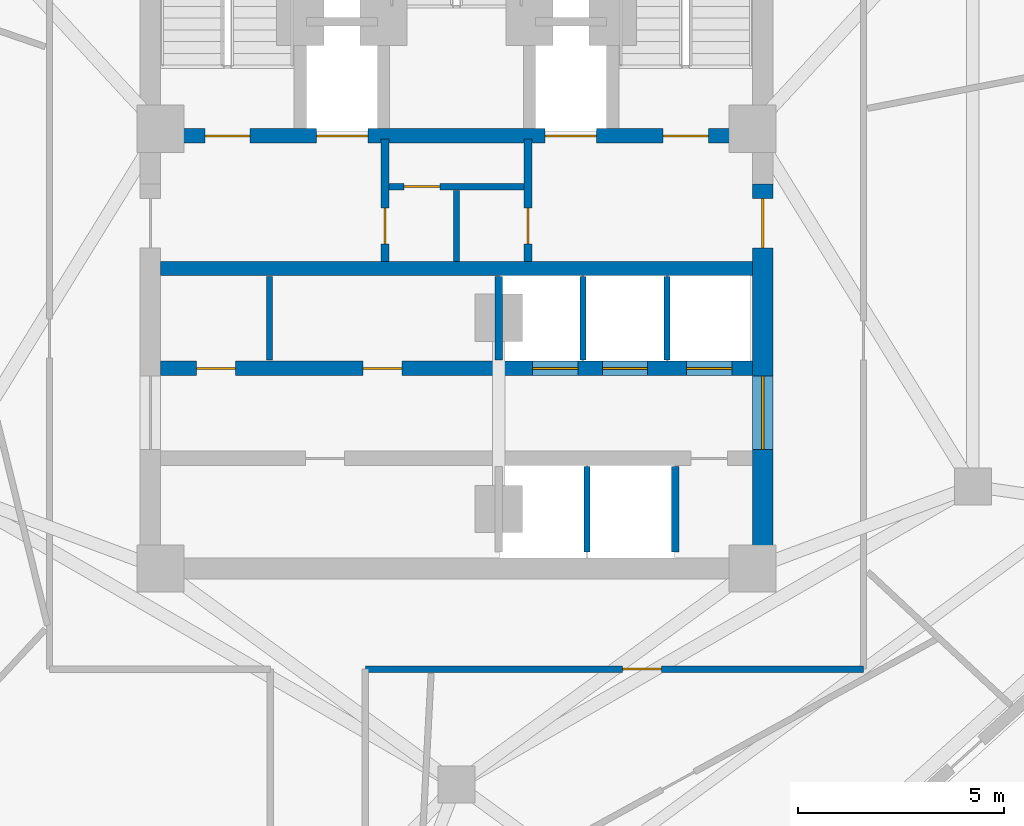
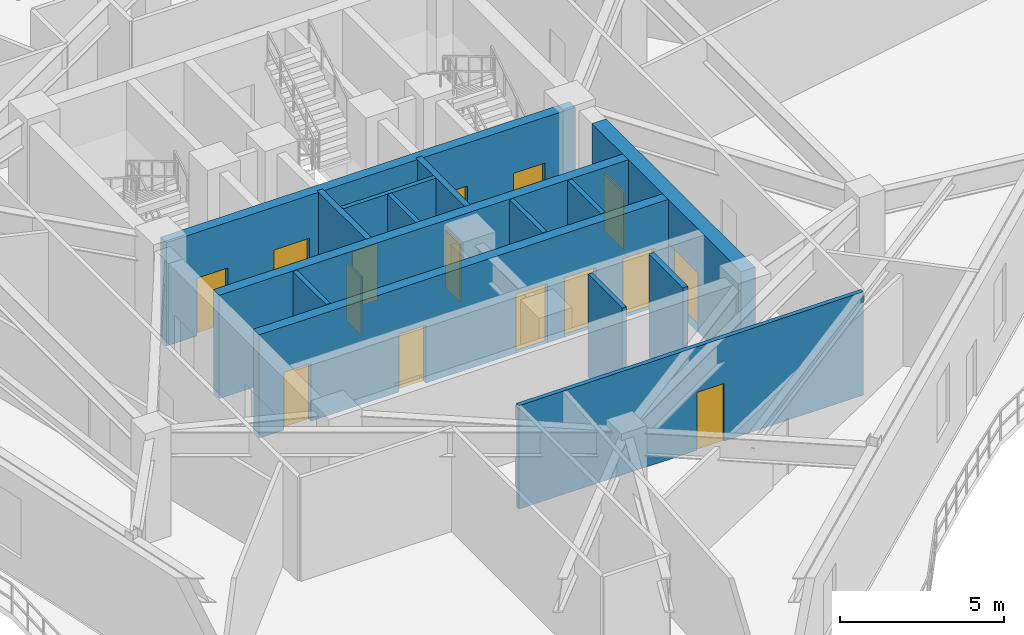
# One storey, part 6 of 12: 15 doors, 15 walls, 15 openings.
"""IFC4 building model written with IfcOpenShell, lengths in metres."""

from ifc_helpers import new_model, si_unit, direction, frame, frame_2d, origin, place, context, subcontext, project, spatial, rectangle, extrude, material, layer, layer_set, type_object, element, fill, save


model = new_model("IFC4")

# Units and contexts
model_context = context("Model", 3, precision=1e-05, world=origin(), true_north=direction((0.0, 1.0)))
body_context = subcontext(model_context, "Body", "Model", "MODEL_VIEW")
ifc_project = project(units=[si_unit("LENGTHUNIT", "METRE"), si_unit("AREAUNIT", "SQUARE_METRE"), si_unit("VOLUMEUNIT", "CUBIC_METRE"), si_unit("PLANEANGLEUNIT", "RADIAN"), si_unit("MASSUNIT", "GRAM", prefix="KILO")], contexts=[model_context])

# Site, building, storey
site_placement = place(None, origin())
site = spatial("IfcSite", under=ifc_project, at=site_placement, CompositionType="ELEMENT")
building_placement = place(site_placement, origin())
building = spatial("IfcBuilding", under=site, at=building_placement, Name="Apsidion Concourse Tower", CompositionType="ELEMENT")
storey_placement = place(building_placement, frame((0.0, 0.0, 248.60009765625)))
storey = spatial("IfcBuildingStorey", under=building, at=storey_placement, Name="L58", CompositionType="ELEMENT", Elevation=248.60009765625)

# Walls
ifc_material_1 = material(Name="Gypsum plasterboard partition")
ifc_layer_1 = layer(ifc_material_1, 0.14990234375)
ifc_layer_set_1 = layer_set([ifc_layer_1], Name="Gypsum plasterboard partition")
wall_type_1 = type_object("IfcWallType", Name="WL-INT-PAR-150", PredefinedType="PARTITIONING", material=ifc_layer_set_1)
for number, where, z_axis, x_axis, name in (
    (1, (-4.550048828125, -4.179931640625, 0.0), (0.0, 0.0, 1.0), (0.0, 1.0, 0.0), "L58 Interior Partition WL-L58-B1RV1"),
    (2, (3.074951171875, -4.179931640625, 0.0), (0.0, 0.0, 1.0), (0.0, 1.0, 0.0), "L58 Interior Partition WL-L58-B3DIV-1"),
    (3, (5.125, -4.179931640625, 0.0), (0.0, 0.0, 1.0), (0.0, 1.0, 0.0), "L58 Interior Partition WL-L58-B3DIV-2"),
):
    element("IfcWall", number, at=place(storey_placement, frame(where, z_axis=z_axis, x_axis=x_axis)), inside=storey, type_object=wall_type_1, Name=name, PredefinedType="PARTITIONING", context=body_context, shape_type="SweptSolid", body=[
        extrude(rectangle(XDim=2.030029296875, YDim=0.14990234375, at=frame_2d((1.01513671875, 0.0))), origin(), (0.0, 0.0, 1.0), 3.849853515625),
    ])
wall_1_placement = place(storey_placement, frame((3.175048828125, -8.85009765625, 0.0), z_axis=(0.0, 0.0, 1.0), x_axis=(0.0, 1.0, 0.0)))
element("IfcWall", 4, at=wall_1_placement, inside=storey, type_object=wall_type_1, Name="L58 Interior Partition WL-L58-SHDIV-1", PredefinedType="PARTITIONING", context=body_context, shape_type="SweptSolid", body=[
    extrude(rectangle(XDim=2.080078125, YDim=0.14990234375, at=frame_2d((1.0400390625, 0.0))), origin(), (0.0, 0.0, 1.0), 3.849853515625),
])

# Wall, opening, door
wall_2_placement = place(storey_placement, frame((-1.639892578125, 0.0400390625, 0.0), z_axis=(0.0, 0.0, 1.0), x_axis=(1.0, 0.0, 0.0)))
wall_2 = element("IfcWall", 5, at=wall_2_placement, inside=storey, type_object=wall_type_1, Name="L58 Interior Partition WL-L58-K4H", PredefinedType="PARTITIONING", context=body_context, shape_type="SweptSolid", body=[
    extrude(rectangle(XDim=3.27978515625, YDim=0.14990234375, at=frame_2d((1.639892578125, 0.0))), origin(), (0.0, 0.0, 1.0), 3.849853515625),
])
opening_1_placement = place(wall_2_placement, frame((0.360107421875, 0.0, 0.0)))
opening_1 = element("IfcOpeningElement", 6, at=opening_1_placement, cuts=wall_2, Name="Opening D-03L", PredefinedType="OPENING", context=body_context, shape_type="SweptSolid", body=[
    extrude(rectangle(XDim=0.8798828125, YDim=2.10009765625, at=frame_2d((0.43994140625, 1.050048828125))), frame((0.0, 0.0849609375, 0.0), z_axis=(0.0, -1.0, 0.0), x_axis=(1.0, 0.0, 0.0)), (0.0, 0.0, 1.0), 0.169921875),
])
ifc_material_2 = material(Name="Anodised aluminium EN AW-6063 T6", Category="aluminium")
door_type_1 = type_object("IfcDoorType", Name="DR-INT-D03L", OperationType="SINGLE_SWING_LEFT", PredefinedType="DOOR", material=ifc_material_2)
door_1_placement = place(opening_1_placement, origin())
door_1 = element("IfcDoor", 7, at=door_1_placement, inside=storey, type_object=door_type_1, Name="L58 Core Telecoms Door", OperationType="SINGLE_SWING_LEFT", OverallHeight=2.10009765625, OverallWidth=0.8798828125, PredefinedType="DOOR", context=body_context, shape_type="SweptSolid", body=[
    extrude(rectangle(XDim=0.8798828125, YDim=2.10009765625, at=frame_2d((0.43994140625, 1.050048828125))), frame((0.0, 0.02490234375, 0.0), z_axis=(0.0, -1.0, 0.0), x_axis=(1.0, 0.0, 0.0)), (0.0, 0.0, 1.0), 0.050048828125),
])
fill(opening_1, door_1)

# Wall
wall_3_placement = place(storey_placement, frame((0.0, -1.780029296875, 0.0), z_axis=(0.0, 0.0, 1.0), x_axis=(0.0, 1.0, 0.0)))
element("IfcWall", 8, at=wall_3_placement, inside=storey, type_object=wall_type_1, Name="L58 Interior Partition WL-L58-K4V", PredefinedType="PARTITIONING", context=body_context, shape_type="SweptSolid", body=[
    extrude(rectangle(XDim=1.72998046875, YDim=0.14990234375, at=frame_2d((0.864990234375, 0.0))), origin(), (0.0, 0.0, 1.0), 3.849853515625),
])

# Wall, opening, door
wall_4_placement = place(storey_placement, frame((9.89990234375, -11.699951171875, 0.0), z_axis=(0.0, 0.0, 1.0), x_axis=(-1.0, 0.0, 0.0)))
wall_4 = element("IfcWall", 9, at=wall_4_placement, inside=storey, type_object=wall_type_1, Name="L58 Interior Partition WL-L58-CORR-09", PredefinedType="PARTITIONING", context=body_context, shape_type="SweptSolid", body=[
    extrude(rectangle(XDim=12.119873046875, YDim=0.14990234375, at=frame_2d((6.06005859375, 0.0))), origin(), (0.0, 0.0, 1.0), 3.849853515625),
])
opening_2_placement = place(wall_4_placement, frame((4.9111328125, 0.0, 0.0)))
opening_2 = element("IfcOpeningElement", 10, at=opening_2_placement, cuts=wall_4, Name="Opening D-01L", PredefinedType="OPENING", context=body_context, shape_type="SweptSolid", body=[
    extrude(rectangle(XDim=0.949951171875, YDim=2.14990234375, at=frame_2d((0.47509765625, 1.074951171875))), frame((0.0, 0.0849609375, 0.0), z_axis=(0.0, -1.0, 0.0), x_axis=(1.0, 0.0, 0.0)), (0.0, 0.0, 1.0), 0.169921875),
])
ifc_material_3 = material(Name="Brushed stainless steel 316", Category="steel")
door_type_2 = type_object("IfcDoorType", Name="DR-INT-D01L", OperationType="SINGLE_SWING_LEFT", PredefinedType="DOOR", material=ifc_material_3)
door_2_placement = place(opening_2_placement, origin())
door_2 = element("IfcDoor", 11, at=door_2_placement, inside=storey, type_object=door_type_2, Name="L58 Corridor Entry Door 03", OperationType="SINGLE_SWING_LEFT", OverallHeight=2.14990234375, OverallWidth=0.949951171875, PredefinedType="DOOR", context=body_context, shape_type="SweptSolid", body=[
    extrude(rectangle(XDim=0.949951171875, YDim=2.14990234375, at=frame_2d((0.47509765625, 1.074951171875))), frame((0.0, 0.02490234375, 0.0), z_axis=(0.0, -1.0, 0.0), x_axis=(1.0, 0.0, 0.0)), (0.0, 0.0, 1.0), 0.050048828125),
])
fill(opening_2, door_2)

# Walls
ifc_layer_2 = layer(ifc_material_1, 0.179931640625)
ifc_layer_set_2 = layer_set([ifc_layer_2], Name="Gypsum plasterboard partition")
wall_type_2 = type_object("IfcWallType", Name="WL-INT-PAR-180", PredefinedType="PARTITIONING", material=ifc_layer_set_2)
wall_5_placement = place(storey_placement, frame((1.02490234375, -4.179931640625, 0.0), z_axis=(0.0, 0.0, 1.0), x_axis=(0.0, 1.0, 0.0)))
element("IfcWall", 12, at=wall_5_placement, inside=storey, type_object=wall_type_2, Name="L58 Interior Partition WL-L58-B1END", PredefinedType="PARTITIONING", context=body_context, shape_type="SweptSolid", body=[
    extrude(rectangle(XDim=2.030029296875, YDim=0.179931640625, at=frame_2d((1.01513671875, 0.0))), origin(), (0.0, 0.0, 1.0), 2.89794921875),
])
wall_6_placement = place(storey_placement, frame((5.324951171875, -8.85009765625, 0.0), z_axis=(0.0, 0.0, 1.0), x_axis=(0.0, 1.0, 0.0)))
element("IfcWall", 13, at=wall_6_placement, inside=storey, type_object=wall_type_2, Name="L58 Interior Partition WL-L58-SHDIV-2", PredefinedType="PARTITIONING", context=body_context, shape_type="SweptSolid", body=[
    extrude(rectangle(XDim=2.080078125, YDim=0.179931640625, at=frame_2d((1.0400390625, 0.0))), origin(), (0.0, 0.0, 1.0), 3.849853515625),
])

# Wall, opening, door
ifc_layer_3 = layer(ifc_material_1, 0.199951171875)
ifc_layer_set_3 = layer_set([ifc_layer_3], Name="Gypsum plasterboard partition")
wall_type_3 = type_object("IfcWallType", Name="WL-INT-PAR-200", PredefinedType="PARTITIONING", material=ifc_layer_set_3)
wall_7_placement = place(storey_placement, frame((-1.739990234375, -1.780029296875, 0.0), z_axis=(0.0, 0.0, 1.0), x_axis=(0.0, 1.0, 0.0)))
wall_7 = element("IfcWall", 14, at=wall_7_placement, inside=storey, type_object=wall_type_3, Name="L58 Interior Partition WL-L58-FF1-E", PredefinedType="PARTITIONING", context=body_context, shape_type="SweptSolid", body=[
    extrude(rectangle(XDim=2.97998046875, YDim=0.199951171875, at=frame_2d((1.489990234375, 0.0))), origin(), (0.0, 0.0, 1.0), 3.849853515625),
])
opening_3_placement = place(wall_7_placement, frame((0.419921875, 0.0, 0.0)))
opening_3 = element("IfcOpeningElement", 15, at=opening_3_placement, cuts=wall_7, Name="Opening D-05R", PredefinedType="OPENING", context=body_context, shape_type="SweptSolid", body=[
    extrude(rectangle(XDim=0.8798828125, YDim=2.14990234375, at=frame_2d((0.43994140625, 1.074951171875))), frame((0.0, 0.10986328125, 0.0), z_axis=(0.0, -1.0, 0.0), x_axis=(1.0, 0.0, 0.0)), (0.0, 0.0, 1.0), 0.219970703125),
])
door_type_3 = type_object("IfcDoorType", Name="DR-INT-D05R", OperationType="SINGLE_SWING_RIGHT", PredefinedType="DOOR", material=ifc_material_3)
door_3_placement = place(opening_3_placement, origin())
door_3 = element("IfcDoor", 16, at=door_3_placement, inside=storey, type_object=door_type_3, Name="L58 Core Switch Room Door", OperationType="SINGLE_SWING_RIGHT", OverallHeight=2.14990234375, OverallWidth=0.8798828125, PredefinedType="DOOR", context=body_context, shape_type="SweptSolid", body=[
    extrude(rectangle(XDim=0.8798828125, YDim=2.14990234375, at=frame_2d((0.43994140625, 1.074951171875))), frame((0.0, 0.02490234375, 0.0), z_axis=(0.0, -1.0, 0.0), x_axis=(1.0, 0.0, 0.0)), (0.0, 0.0, 1.0), 0.050048828125),
])
fill(opening_3, door_3)

wall_8_placement = place(storey_placement, frame((1.739990234375, -1.780029296875, 0.0), z_axis=(0.0, 0.0, 1.0), x_axis=(0.0, 1.0, 0.0)))
wall_8 = element("IfcWall", 17, at=wall_8_placement, inside=storey, type_object=wall_type_3, Name="L58 Interior Partition WL-L58-FF2-W", PredefinedType="PARTITIONING", context=body_context, shape_type="SweptSolid", body=[
    extrude(rectangle(XDim=2.97998046875, YDim=0.199951171875, at=frame_2d((1.489990234375, 0.0))), origin(), (0.0, 0.0, 1.0), 3.849853515625),
])
opening_4_placement = place(wall_8_placement, frame((0.419921875, 0.0, 0.0)))
opening_4 = element("IfcOpeningElement", 18, at=opening_4_placement, cuts=wall_8, Name="Opening D-05L", PredefinedType="OPENING", context=body_context, shape_type="SweptSolid", body=[
    extrude(rectangle(XDim=0.8798828125, YDim=2.14990234375, at=frame_2d((0.43994140625, 1.074951171875))), frame((0.0, 0.10986328125, 0.0), z_axis=(0.0, -1.0, 0.0), x_axis=(1.0, 0.0, 0.0)), (0.0, 0.0, 1.0), 0.219970703125),
])
door_type_4 = type_object("IfcDoorType", Name="DR-INT-D05L", OperationType="SINGLE_SWING_LEFT", PredefinedType="DOOR", material=ifc_material_3)
door_4_placement = place(opening_4_placement, origin())
door_4 = element("IfcDoor", 19, at=door_4_placement, inside=storey, type_object=door_type_4, Name="L58 Core First Aid Door", OperationType="SINGLE_SWING_LEFT", OverallHeight=2.14990234375, OverallWidth=0.8798828125, PredefinedType="DOOR", context=body_context, shape_type="SweptSolid", body=[
    extrude(rectangle(XDim=0.8798828125, YDim=2.14990234375, at=frame_2d((0.43994140625, 1.074951171875))), frame((0.0, 0.02490234375, 0.0), z_axis=(0.0, -1.0, 0.0), x_axis=(1.0, 0.0, 0.0)), (0.0, 0.0, 1.0), 0.050048828125),
])
fill(opening_4, door_4)

# Wall, openings, doors
ifc_material_4 = material(Name="Concrete C50/60", Category="concrete")
ifc_layer_4 = layer(ifc_material_4, 0.35009765625)
ifc_layer_set_4 = layer_set([ifc_layer_4], Name="Concrete C50/60")
wall_type_4 = type_object("IfcWallType", Name="WL-SH-350", PredefinedType="SHEAR", material=ifc_layer_set_4)
wall_9_placement = place(storey_placement, frame((-7.199951171875, 1.27490234375, 0.0), z_axis=(0.0, 0.0, 1.0), x_axis=(1.0, 0.0, 0.0)))
wall_9 = element("IfcWall", 20, at=wall_9_placement, inside=storey, type_object=wall_type_4, Name="L58 Central Core Shear Wall M1", PredefinedType="SHEAR", context=body_context, shape_type="SweptSolid", body=[
    extrude(rectangle(XDim=14.39990234375, YDim=0.35009765625, at=frame_2d((7.199951171875, 0.0))), origin(), (0.0, 0.0, 1.0), 3.849853515625),
])
opening_5_placement = place(wall_9_placement, frame((3.794921875, 0.0, 0.0)))
opening_5 = element("IfcOpeningElement", 21, at=opening_5_placement, cuts=wall_9, Name="Opening LD-FF", PredefinedType="OPENING", context=body_context, shape_type="SweptSolid", body=[
    extrude(rectangle(XDim=1.25, YDim=2.25, at=frame_2d((0.625, 1.125))), frame((0.0, 0.18505859375, 0.0), z_axis=(0.0, -1.0, 0.0), x_axis=(1.0, 0.0, 0.0)), (0.0, 0.0, 1.0), 0.3701171875),
])
opening_6_placement = place(wall_9_placement, frame((9.35498046875, 0.0, 0.0)))
opening_6 = element("IfcOpeningElement", 22, at=opening_6_placement, cuts=wall_9, Name="Opening LD-FF", PredefinedType="OPENING", context=body_context, shape_type="SweptSolid", body=[
    extrude(rectangle(XDim=1.25, YDim=2.25, at=frame_2d((0.625, 1.125))), frame((0.0, 0.18505859375, 0.0), z_axis=(0.0, -1.0, 0.0), x_axis=(1.0, 0.0, 0.0)), (0.0, 0.0, 1.0), 0.3701171875),
])
opening_7_placement = place(wall_9_placement, frame((1.074951171875, 0.0, 0.0)))
opening_7 = element("IfcOpeningElement", 23, at=opening_7_placement, cuts=wall_9, Name="Opening D-STL", PredefinedType="OPENING", context=body_context, shape_type="SweptSolid", body=[
    extrude(rectangle(XDim=1.10009765625, YDim=2.14990234375, at=frame_2d((0.550048828125, 1.074951171875))), frame((0.0, 0.18505859375, 0.0), z_axis=(0.0, -1.0, 0.0), x_axis=(1.0, 0.0, 0.0)), (0.0, 0.0, 1.0), 0.3701171875),
])
opening_8_placement = place(wall_9_placement, frame((12.22509765625, 0.0, 0.0)))
opening_8 = element("IfcOpeningElement", 24, at=opening_8_placement, cuts=wall_9, Name="Opening D-STR", PredefinedType="OPENING", context=body_context, shape_type="SweptSolid", body=[
    extrude(rectangle(XDim=1.10009765625, YDim=2.14990234375, at=frame_2d((0.550048828125, 1.074951171875))), frame((0.0, 0.18505859375, 0.0), z_axis=(0.0, -1.0, 0.0), x_axis=(1.0, 0.0, 0.0)), (0.0, 0.0, 1.0), 0.3701171875),
])
door_type_5 = type_object("IfcDoorType", Name="DR-INT-ST1L", OperationType="SINGLE_SWING_LEFT", PredefinedType="DOOR", material=ifc_material_3)
door_5_placement = place(opening_7_placement, origin())
door_5 = element("IfcDoor", 25, at=door_5_placement, inside=storey, type_object=door_type_5, Name="L58 Core Exit Stair ST1 Door", OperationType="SINGLE_SWING_LEFT", OverallHeight=2.14990234375, OverallWidth=1.10009765625, PredefinedType="DOOR", context=body_context, shape_type="SweptSolid", body=[
    extrude(rectangle(XDim=1.10009765625, YDim=2.14990234375, at=frame_2d((0.550048828125, 1.074951171875))), frame((0.0, 0.02490234375, 0.0), z_axis=(0.0, -1.0, 0.0), x_axis=(1.0, 0.0, 0.0)), (0.0, 0.0, 1.0), 0.050048828125),
])
fill(opening_7, door_5)
door_type_6 = type_object("IfcDoorType", Name="DR-INT-ST1R", OperationType="SINGLE_SWING_RIGHT", PredefinedType="DOOR", material=ifc_material_3)
door_6_placement = place(opening_8_placement, origin())
door_6 = element("IfcDoor", 26, at=door_6_placement, inside=storey, type_object=door_type_6, Name="L58 Core Exit Stair ST2 Door", OperationType="SINGLE_SWING_RIGHT", OverallHeight=2.14990234375, OverallWidth=1.10009765625, PredefinedType="DOOR", context=body_context, shape_type="SweptSolid", body=[
    extrude(rectangle(XDim=1.10009765625, YDim=2.14990234375, at=frame_2d((0.550048828125, 1.074951171875))), frame((0.0, 0.02490234375, 0.0), z_axis=(0.0, -1.0, 0.0), x_axis=(1.0, 0.0, 0.0)), (0.0, 0.0, 1.0), 0.050048828125),
])
fill(opening_8, door_6)
door_type_7 = type_object("IfcDoorType", Name="DR-LD-FSAE", OperationType="DOUBLE_DOOR_SLIDING", PredefinedType="DOOR", material=ifc_material_3)
door_7_placement = place(opening_5_placement, origin())
door_7 = element("IfcDoor", 27, at=door_7_placement, inside=storey, type_object=door_type_7, Name="L58 Lift Landing Door FF1", OperationType="DOUBLE_DOOR_SLIDING", OverallHeight=2.25, OverallWidth=1.25, PredefinedType="DOOR", context=body_context, shape_type="SweptSolid", body=[
    extrude(rectangle(XDim=1.25, YDim=2.25, at=frame_2d((0.625, 1.125))), frame((0.0, 0.02490234375, 0.0), z_axis=(0.0, -1.0, 0.0), x_axis=(1.0, 0.0, 0.0)), (0.0, 0.0, 1.0), 0.050048828125),
])
fill(opening_5, door_7)
door_8_placement = place(opening_6_placement, origin())
door_8 = element("IfcDoor", 28, at=door_8_placement, inside=storey, type_object=door_type_7, Name="L58 Lift Landing Door FF2", OperationType="DOUBLE_DOOR_SLIDING", OverallHeight=2.25, OverallWidth=1.25, PredefinedType="DOOR", context=body_context, shape_type="SweptSolid", body=[
    extrude(rectangle(XDim=1.25, YDim=2.25, at=frame_2d((0.625, 1.125))), frame((0.0, 0.02490234375, 0.0), z_axis=(0.0, -1.0, 0.0), x_axis=(1.0, 0.0, 0.0)), (0.0, 0.0, 1.0), 0.050048828125),
])
fill(opening_6, door_8)

# Wall
wall_10_placement = place(storey_placement, frame((-7.199951171875, -1.949951171875, 0.0), z_axis=(0.0, 0.0, 1.0), x_axis=(1.0, 0.0, 0.0)))
element("IfcWall", 29, at=wall_10_placement, inside=storey, type_object=wall_type_4, Name="L58 Central Core Shear Wall M2", PredefinedType="SHEAR", context=body_context, shape_type="SweptSolid", body=[
    extrude(rectangle(XDim=14.39990234375, YDim=0.35009765625, at=frame_2d((7.199951171875, 0.0))), origin(), (0.0, 0.0, 1.0), 3.849853515625),
])

# Wall, openings, doors
wall_11_placement = place(storey_placement, frame((-7.199951171875, -4.3798828125, 0.0), z_axis=(0.0, 0.0, 1.0), x_axis=(1.0, 0.0, 0.0)))
wall_11 = element("IfcWall", 30, at=wall_11_placement, inside=storey, type_object=wall_type_4, Name="L58 Central Core Shear Wall LA", PredefinedType="SHEAR", context=body_context, shape_type="SweptSolid", body=[
    extrude(rectangle(XDim=14.39990234375, YDim=0.35009765625, at=frame_2d((7.199951171875, 0.0))), origin(), (0.0, 0.0, 1.0), 3.849853515625),
])
opening_9_placement = place(wall_11_placement, frame((9.050048828125, 0.0, 0.0)))
opening_9 = element("IfcOpeningElement", 31, at=opening_9_placement, cuts=wall_11, Name="Opening LD-P1", PredefinedType="OPENING", context=body_context, shape_type="SweptSolid", body=[
    extrude(rectangle(XDim=1.10009765625, YDim=2.199951171875, at=frame_2d((0.550048828125, 1.10009765625))), frame((0.0, 0.18505859375, 0.0), z_axis=(0.0, -1.0, 0.0), x_axis=(1.0, 0.0, 0.0)), (0.0, 0.0, 1.0), 0.3701171875),
])
opening_10_placement = place(wall_11_placement, frame((10.75, 0.0, 0.0)))
opening_10 = element("IfcOpeningElement", 32, at=opening_10_placement, cuts=wall_11, Name="Opening LD-P1", PredefinedType="OPENING", context=body_context, shape_type="SweptSolid", body=[
    extrude(rectangle(XDim=1.10009765625, YDim=2.199951171875, at=frame_2d((0.550048828125, 1.10009765625))), frame((0.0, 0.18505859375, 0.0), z_axis=(0.0, -1.0, 0.0), x_axis=(1.0, 0.0, 0.0)), (0.0, 0.0, 1.0), 0.3701171875),
])
opening_11_placement = place(wall_11_placement, frame((12.800048828125, 0.0, 0.0)))
opening_11 = element("IfcOpeningElement", 33, at=opening_11_placement, cuts=wall_11, Name="Opening LD-P1", PredefinedType="OPENING", context=body_context, shape_type="SweptSolid", body=[
    extrude(rectangle(XDim=1.10009765625, YDim=2.199951171875, at=frame_2d((0.550048828125, 1.10009765625))), frame((0.0, 0.18505859375, 0.0), z_axis=(0.0, -1.0, 0.0), x_axis=(1.0, 0.0, 0.0)), (0.0, 0.0, 1.0), 0.3701171875),
])
opening_12_placement = place(wall_11_placement, frame((0.875, 0.0, 0.0)))
opening_12 = element("IfcOpeningElement", 34, at=opening_12_placement, cuts=wall_11, Name="Opening D-04L", PredefinedType="OPENING", context=body_context, shape_type="SweptSolid", body=[
    extrude(rectangle(XDim=0.949951171875, YDim=2.14990234375, at=frame_2d((0.47509765625, 1.074951171875))), frame((0.0, 0.18505859375, 0.0), z_axis=(0.0, -1.0, 0.0), x_axis=(1.0, 0.0, 0.0)), (0.0, 0.0, 1.0), 0.3701171875),
])
opening_13_placement = place(wall_11_placement, frame((4.925048828125, 0.0, 0.0)))
opening_13 = element("IfcOpeningElement", 35, at=opening_13_placement, cuts=wall_11, Name="Opening D-04R", PredefinedType="OPENING", context=body_context, shape_type="SweptSolid", body=[
    extrude(rectangle(XDim=0.949951171875, YDim=2.14990234375, at=frame_2d((0.47509765625, 1.074951171875))), frame((0.0, 0.18505859375, 0.0), z_axis=(0.0, -1.0, 0.0), x_axis=(1.0, 0.0, 0.0)), (0.0, 0.0, 1.0), 0.3701171875),
])
door_type_8 = type_object("IfcDoorType", Name="DR-INT-D04L", OperationType="SINGLE_SWING_LEFT", PredefinedType="DOOR", material=ifc_material_3)
door_9_placement = place(opening_12_placement, origin())
door_9 = element("IfcDoor", 36, at=door_9_placement, inside=storey, type_object=door_type_8, Name="L58 Core Supply Store Door", OperationType="SINGLE_SWING_LEFT", OverallHeight=2.14990234375, OverallWidth=0.949951171875, PredefinedType="DOOR", context=body_context, shape_type="SweptSolid", body=[
    extrude(rectangle(XDim=0.949951171875, YDim=2.14990234375, at=frame_2d((0.47509765625, 1.074951171875))), frame((0.0, 0.02490234375, 0.0), z_axis=(0.0, -1.0, 0.0), x_axis=(1.0, 0.0, 0.0)), (0.0, 0.0, 1.0), 0.050048828125),
])
fill(opening_12, door_9)
door_type_9 = type_object("IfcDoorType", Name="DR-INT-D04R", OperationType="SINGLE_SWING_RIGHT", PredefinedType="DOOR", material=ifc_material_3)
door_10_placement = place(opening_13_placement, origin())
door_10 = element("IfcDoor", 37, at=door_10_placement, inside=storey, type_object=door_type_9, Name="L58 Core Data and Print Room Door", OperationType="SINGLE_SWING_RIGHT", OverallHeight=2.14990234375, OverallWidth=0.949951171875, PredefinedType="DOOR", context=body_context, shape_type="SweptSolid", body=[
    extrude(rectangle(XDim=0.949951171875, YDim=2.14990234375, at=frame_2d((0.47509765625, 1.074951171875))), frame((0.0, 0.02490234375, 0.0), z_axis=(0.0, -1.0, 0.0), x_axis=(1.0, 0.0, 0.0)), (0.0, 0.0, 1.0), 0.050048828125),
])
fill(opening_13, door_10)
door_type_10 = type_object("IfcDoorType", Name="DR-LD-PASS", OperationType="DOUBLE_DOOR_SLIDING", PredefinedType="DOOR", material=ifc_material_3)
door_11_placement = place(opening_9_placement, origin())
door_11 = element("IfcDoor", 38, at=door_11_placement, inside=storey, type_object=door_type_10, Name="L58 Lift Landing Door P9", OperationType="DOUBLE_DOOR_SLIDING", OverallHeight=2.199951171875, OverallWidth=1.10009765625, PredefinedType="DOOR", context=body_context, shape_type="SweptSolid", body=[
    extrude(rectangle(XDim=1.10009765625, YDim=2.199951171875, at=frame_2d((0.550048828125, 1.10009765625))), frame((0.0, 0.02490234375, 0.0), z_axis=(0.0, -1.0, 0.0), x_axis=(1.0, 0.0, 0.0)), (0.0, 0.0, 1.0), 0.050048828125),
])
fill(opening_9, door_11)
door_12_placement = place(opening_10_placement, origin())
door_12 = element("IfcDoor", 39, at=door_12_placement, inside=storey, type_object=door_type_10, Name="L58 Lift Landing Door P10", OperationType="DOUBLE_DOOR_SLIDING", OverallHeight=2.199951171875, OverallWidth=1.10009765625, PredefinedType="DOOR", context=body_context, shape_type="SweptSolid", body=[
    extrude(rectangle(XDim=1.10009765625, YDim=2.199951171875, at=frame_2d((0.550048828125, 1.10009765625))), frame((0.0, 0.02490234375, 0.0), z_axis=(0.0, -1.0, 0.0), x_axis=(1.0, 0.0, 0.0)), (0.0, 0.0, 1.0), 0.050048828125),
])
fill(opening_10, door_12)
door_13_placement = place(opening_11_placement, origin())
door_13 = element("IfcDoor", 40, at=door_13_placement, inside=storey, type_object=door_type_10, Name="L58 Lift Landing Door P11", OperationType="DOUBLE_DOOR_SLIDING", OverallHeight=2.199951171875, OverallWidth=1.10009765625, PredefinedType="DOOR", context=body_context, shape_type="SweptSolid", body=[
    extrude(rectangle(XDim=1.10009765625, YDim=2.199951171875, at=frame_2d((0.550048828125, 1.10009765625))), frame((0.0, 0.02490234375, 0.0), z_axis=(0.0, -1.0, 0.0), x_axis=(1.0, 0.0, 0.0)), (0.0, 0.0, 1.0), 0.050048828125),
])
fill(opening_11, door_13)

ifc_layer_5 = layer(ifc_material_4, 0.5)
ifc_layer_set_5 = layer_set([ifc_layer_5], Name="Concrete C50/60")
wall_type_5 = type_object("IfcWallType", Name="WL-SH-500", PredefinedType="SHEAR", material=ifc_layer_set_5)
wall_12_placement = place(storey_placement, frame((7.449951171875, -9.0, 0.0), z_axis=(0.0, 0.0, 1.0), x_axis=(0.0, 1.0, 0.0)))
wall_12 = element("IfcWall", 41, at=wall_12_placement, inside=storey, type_object=wall_type_5, Name="L58 Central Core Shear Wall ES", PredefinedType="SHEAR", context=body_context, shape_type="SweptSolid", body=[
    extrude(rectangle(XDim=9.10009765625, YDim=0.5, at=frame_2d((4.550048828125, 0.0))), origin(), (0.0, 0.0, 1.0), 3.849853515625),
])
opening_14_placement = place(wall_12_placement, frame((2.639892578125, 0.0, 0.0)))
opening_14 = element("IfcOpeningElement", 42, at=opening_14_placement, cuts=wall_12, Name="Opening D-06D", PredefinedType="OPENING", context=body_context, shape_type="SweptSolid", body=[
    extrude(rectangle(XDim=1.800048828125, YDim=2.199951171875, at=frame_2d((0.89990234375, 1.10009765625))), frame((0.0, 0.260009765625, 0.0), z_axis=(0.0, -1.0, 0.0), x_axis=(1.0, 0.0, 0.0)), (0.0, 0.0, 1.0), 0.52001953125),
])
opening_15_placement = place(wall_12_placement, frame((7.550048828125, 0.0, 0.0)))
opening_15 = element("IfcOpeningElement", 43, at=opening_15_placement, cuts=wall_12, Name="Opening D-FFR", PredefinedType="OPENING", context=body_context, shape_type="SweptSolid", body=[
    extrude(rectangle(XDim=1.199951171875, YDim=2.14990234375, at=frame_2d((0.60009765625, 1.074951171875))), frame((0.0, 0.260009765625, 0.0), z_axis=(0.0, -1.0, 0.0), x_axis=(1.0, 0.0, 0.0)), (0.0, 0.0, 1.0), 0.52001953125),
])
door_type_11 = type_object("IfcDoorType", Name="DR-INT-D06D", OperationType="DOUBLE_DOOR_SINGLE_SWING", PredefinedType="DOOR", material=ifc_material_3)
door_14_placement = place(opening_14_placement, origin())
door_14 = element("IfcDoor", 44, at=door_14_placement, inside=storey, type_object=door_type_11, Name="L58 Passenger Lift Lobby ES Portal Door", OperationType="DOUBLE_DOOR_SINGLE_SWING", OverallHeight=2.199951171875, OverallWidth=1.800048828125, PredefinedType="DOOR", context=body_context, shape_type="SweptSolid", body=[
    extrude(rectangle(XDim=1.800048828125, YDim=2.199951171875, at=frame_2d((0.89990234375, 1.10009765625))), frame((0.0, 0.02490234375, 0.0), z_axis=(0.0, -1.0, 0.0), x_axis=(1.0, 0.0, 0.0)), (0.0, 0.0, 1.0), 0.050048828125),
])
fill(opening_14, door_14)
door_type_12 = type_object("IfcDoorType", Name="DR-INT-FFR", OperationType="SINGLE_SWING_RIGHT", PredefinedType="DOOR", material=ifc_material_3)
door_15_placement = place(opening_15_placement, origin())
door_15 = element("IfcDoor", 45, at=door_15_placement, inside=storey, type_object=door_type_12, Name="L58 Firefighting Lift Lobby FF2 Door", OperationType="SINGLE_SWING_RIGHT", OverallHeight=2.14990234375, OverallWidth=1.199951171875, PredefinedType="DOOR", context=body_context, shape_type="SweptSolid", body=[
    extrude(rectangle(XDim=1.199951171875, YDim=2.14990234375, at=frame_2d((0.60009765625, 1.074951171875))), frame((0.0, 0.02490234375, 0.0), z_axis=(0.0, -1.0, 0.0), x_axis=(1.0, 0.0, 0.0)), (0.0, 0.0, 1.0), 0.050048828125),
])
fill(opening_15, door_15)

save(model, "model.ifc")
